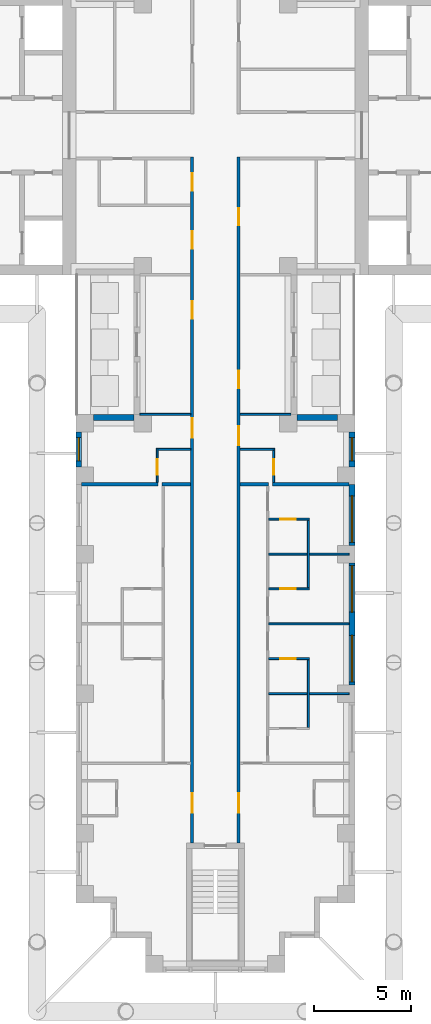
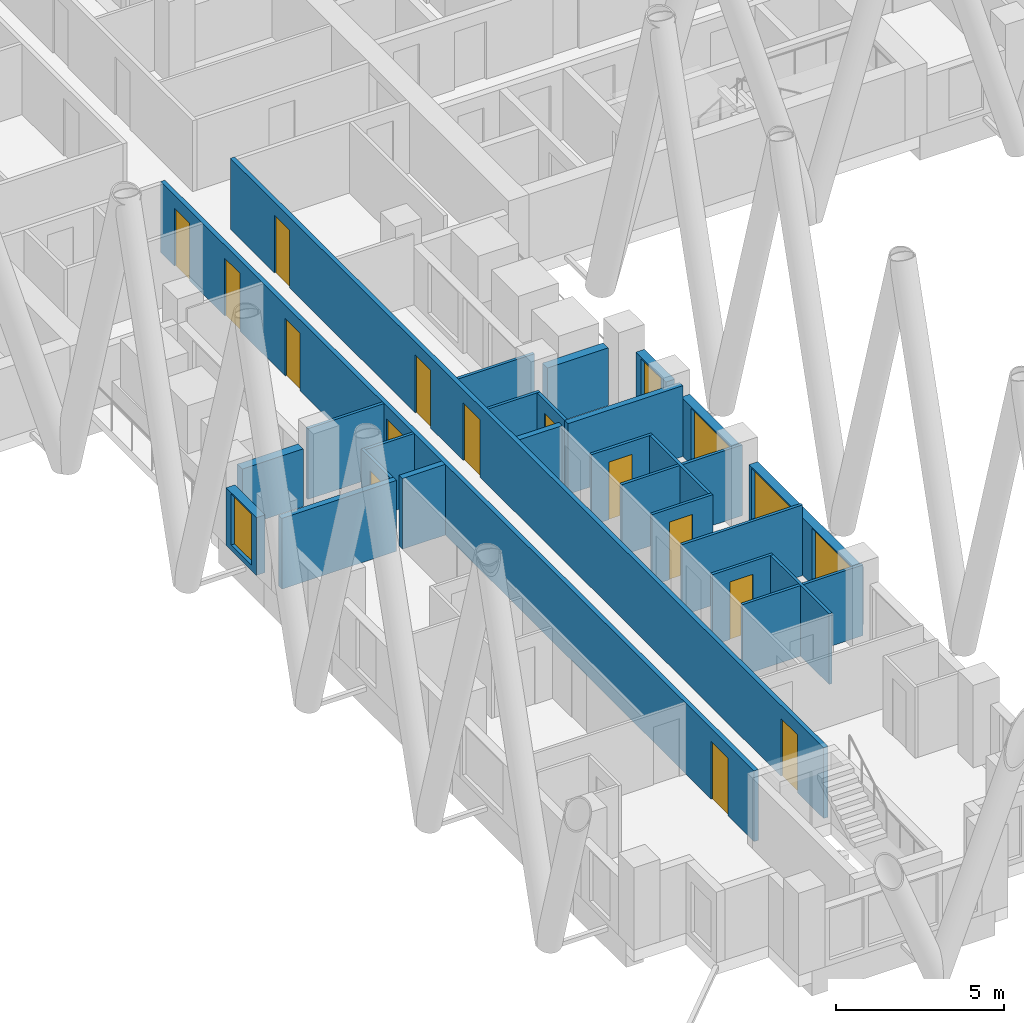
# One storey, part 5 of 17: 26 walls, 14 doors, 5 windows, 19 openings.
"""IFC4 building model written with IfcOpenShell, lengths in metres."""

from ifc_helpers import new_model, si_unit, direction, frame, frame_2d, origin, place, context, subcontext, project, spatial, rectangle, extrude, material, layer, layer_set, type_object, element, fill, save


model = new_model("IFC4")

# Units and contexts
model_context = context("Model", 3, precision=1e-05, world=origin(), true_north=direction((0.0, 1.0)))
body_context = subcontext(model_context, "Body", "Model", "MODEL_VIEW")
ifc_project = project(units=[si_unit("LENGTHUNIT", "METRE"), si_unit("AREAUNIT", "SQUARE_METRE"), si_unit("VOLUMEUNIT", "CUBIC_METRE"), si_unit("PLANEANGLEUNIT", "RADIAN"), si_unit("MASSUNIT", "GRAM", prefix="KILO")], contexts=[model_context])

# Site, building, storey
site_placement = place(None, origin())
site = spatial("IfcSite", under=ifc_project, at=site_placement, CompositionType="ELEMENT")
building_placement = place(site_placement, origin())
building = spatial("IfcBuilding", under=site, at=building_placement, Name="Fustian Cross Tower", CompositionType="ELEMENT")
storey_placement = place(building_placement, frame((0.0, 0.0, 32.699951171875)))
storey = spatial("IfcBuildingStorey", under=building, at=storey_placement, Name="L09", CompositionType="ELEMENT", Elevation=32.699951171875)

# Wall, openings, doors
ifc_material_1 = material(Name="Plasterboard on steel stud", Category="steel")
ifc_layer_1 = layer(ifc_material_1, 0.14990234375)
ifc_layer_set_1 = layer_set([ifc_layer_1], Name="Plasterboard on steel stud")
wall_type_1 = type_object("IfcWallType", Name="COMPARTMENT WALL 150 EI 60", PredefinedType="PARTITIONING", material=ifc_layer_set_1)
wall_1_placement = place(storey_placement, frame((-1.199951171875, -36.5, 0.0), z_axis=(0.0, 0.0, 1.0), x_axis=(0.0, 1.0, 0.0)))
wall_1 = element("IfcWall", 1, at=wall_1_placement, inside=storey, type_object=wall_type_1, Name="Partition 45", PredefinedType="PARTITIONING", context=body_context, shape_type="SweptSolid", body=[
    extrude(rectangle(XDim=35.375, YDim=0.14990234375, at=frame_2d((17.6875, 0.0))), origin(), (0.0, 0.0, 1.0), 2.574951171875),
])
opening_1_placement = place(wall_1_placement, frame((33.64990234375, 0.0, 0.0)))
opening_1 = element("IfcOpeningElement", 2, at=opening_1_placement, cuts=wall_1, Name="Opening D06007", PredefinedType="OPENING", context=body_context, shape_type="SweptSolid", body=[
    extrude(rectangle(XDim=0.89990234375, YDim=2.10009765625, at=frame_2d((0.449951171875, 1.050048828125))), frame((0.0, 0.0849609375, 0.0), z_axis=(0.0, -1.0, 0.0), x_axis=(1.0, 0.0, 0.0)), (0.0, 0.0, 1.0), 0.169921875),
])
opening_2_placement = place(wall_1_placement, frame((30.64990234375, 0.0, 0.0)))
opening_2 = element("IfcOpeningElement", 3, at=opening_2_placement, cuts=wall_1, Name="Opening D06009", PredefinedType="OPENING", context=body_context, shape_type="SweptSolid", body=[
    extrude(rectangle(XDim=0.89990234375, YDim=2.10009765625, at=frame_2d((0.449951171875, 1.050048828125))), frame((0.0, 0.0849609375, 0.0), z_axis=(0.0, -1.0, 0.0), x_axis=(1.0, 0.0, 0.0)), (0.0, 0.0, 1.0), 0.169921875),
])
opening_3_placement = place(wall_1_placement, frame((27.050048828125, 0.0, 0.0)))
opening_3 = element("IfcOpeningElement", 4, at=opening_3_placement, cuts=wall_1, Name="Opening D06062", PredefinedType="OPENING", context=body_context, shape_type="SweptSolid", body=[
    extrude(rectangle(XDim=0.89990234375, YDim=2.10009765625, at=frame_2d((0.449951171875, 1.050048828125))), frame((0.0, 0.0849609375, 0.0), z_axis=(0.0, -1.0, 0.0), x_axis=(1.0, 0.0, 0.0)), (0.0, 0.0, 1.0), 0.169921875),
])
opening_4_placement = place(wall_1_placement, frame((20.89990234375, 0.0, 0.0)))
opening_4 = element("IfcOpeningElement", 5, at=opening_4_placement, cuts=wall_1, Name="Opening D06064", PredefinedType="OPENING", context=body_context, shape_type="SweptSolid", body=[
    extrude(rectangle(XDim=1.0, YDim=2.10009765625, at=frame_2d((0.5, 1.050048828125))), frame((0.0, 0.0849609375, 0.0), z_axis=(0.0, -1.0, 0.0), x_axis=(1.0, 0.0, 0.0)), (0.0, 0.0, 1.0), 0.169921875),
])
opening_5_placement = place(wall_1_placement, frame((1.550048828125, 0.0, 0.0)))
opening_5 = element("IfcOpeningElement", 6, at=opening_5_placement, cuts=wall_1, Name="Opening D06066", PredefinedType="OPENING", context=body_context, shape_type="SweptSolid", body=[
    extrude(rectangle(XDim=1.0, YDim=2.10009765625, at=frame_2d((0.5, 1.050048828125))), frame((0.0, 0.0849609375, 0.0), z_axis=(0.0, -1.0, 0.0), x_axis=(1.0, 0.0, 0.0)), (0.0, 0.0, 1.0), 0.169921875),
])
ifc_material_2 = material(Name="Timber fire door set", Category="wood")
door_type_1 = type_object("IfcDoorType", Name="FIRE SWING DOOR 1000 FD30S", OperationType="SINGLE_SWING_LEFT", PredefinedType="DOOR", material=ifc_material_2)
door_1_placement = place(opening_4_placement, origin())
door_1 = element("IfcDoor", 7, at=door_1_placement, inside=storey, type_object=door_type_1, Name="Door D06064", OperationType="SINGLE_SWING_RIGHT", OverallHeight=2.10009765625, OverallWidth=1.0, PredefinedType="DOOR", context=body_context, shape_type="SweptSolid", body=[
    extrude(rectangle(XDim=1.0, YDim=2.10009765625, at=frame_2d((0.5, 1.050048828125))), frame((0.0, 0.02490234375, 0.0), z_axis=(0.0, -1.0, 0.0), x_axis=(1.0, 0.0, 0.0)), (0.0, 0.0, 1.0), 0.050048828125),
])
fill(opening_4, door_1)
door_2_placement = place(opening_5_placement, origin())
door_2 = element("IfcDoor", 8, at=door_2_placement, inside=storey, type_object=door_type_1, Name="Door D06066", OperationType="SINGLE_SWING_RIGHT", OverallHeight=2.10009765625, OverallWidth=1.0, PredefinedType="DOOR", context=body_context, shape_type="SweptSolid", body=[
    extrude(rectangle(XDim=1.0, YDim=2.10009765625, at=frame_2d((0.5, 1.050048828125))), frame((0.0, 0.02490234375, 0.0), z_axis=(0.0, -1.0, 0.0), x_axis=(1.0, 0.0, 0.0)), (0.0, 0.0, 1.0), 0.050048828125),
])
fill(opening_5, door_2)
ifc_material_3 = material(Name="Timber fire door set", Category="wood")
door_type_2 = type_object("IfcDoorType", Name="FIRE SWING DOOR 900 FD30S", OperationType="SINGLE_SWING_LEFT", PredefinedType="DOOR", material=ifc_material_3)
door_3_placement = place(opening_1_placement, origin())
door_3 = element("IfcDoor", 9, at=door_3_placement, inside=storey, type_object=door_type_2, Name="Door D06007", OperationType="SINGLE_SWING_LEFT", OverallHeight=2.10009765625, OverallWidth=0.89990234375, PredefinedType="DOOR", context=body_context, shape_type="SweptSolid", body=[
    extrude(rectangle(XDim=0.89990234375, YDim=2.10009765625, at=frame_2d((0.449951171875, 1.050048828125))), frame((0.0, 0.02490234375, 0.0), z_axis=(0.0, -1.0, 0.0), x_axis=(1.0, 0.0, 0.0)), (0.0, 0.0, 1.0), 0.050048828125),
])
fill(opening_1, door_3)
door_4_placement = place(opening_2_placement, origin())
door_4 = element("IfcDoor", 10, at=door_4_placement, inside=storey, type_object=door_type_2, Name="Door D06009", OperationType="SINGLE_SWING_LEFT", OverallHeight=2.10009765625, OverallWidth=0.89990234375, PredefinedType="DOOR", context=body_context, shape_type="SweptSolid", body=[
    extrude(rectangle(XDim=0.89990234375, YDim=2.10009765625, at=frame_2d((0.449951171875, 1.050048828125))), frame((0.0, 0.02490234375, 0.0), z_axis=(0.0, -1.0, 0.0), x_axis=(1.0, 0.0, 0.0)), (0.0, 0.0, 1.0), 0.050048828125),
])
fill(opening_2, door_4)
door_5_placement = place(opening_3_placement, origin())
door_5 = element("IfcDoor", 11, at=door_5_placement, inside=storey, type_object=door_type_2, Name="Door D06062", OperationType="SINGLE_SWING_RIGHT", OverallHeight=2.10009765625, OverallWidth=0.89990234375, PredefinedType="DOOR", context=body_context, shape_type="SweptSolid", body=[
    extrude(rectangle(XDim=0.89990234375, YDim=2.10009765625, at=frame_2d((0.449951171875, 1.050048828125))), frame((0.0, 0.02490234375, 0.0), z_axis=(0.0, -1.0, 0.0), x_axis=(1.0, 0.0, 0.0)), (0.0, 0.0, 1.0), 0.050048828125),
])
fill(opening_3, door_5)

wall_2_placement = place(storey_placement, frame((1.199951171875, -36.5, 0.0), z_axis=(0.0, 0.0, 1.0), x_axis=(0.0, 1.0, 0.0)))
wall_2 = element("IfcWall", 12, at=wall_2_placement, inside=storey, type_object=wall_type_1, Name="Partition 47", PredefinedType="PARTITIONING", context=body_context, shape_type="SweptSolid", body=[
    extrude(rectangle(XDim=35.375, YDim=0.14990234375, at=frame_2d((17.6875, 0.0))), origin(), (0.0, 0.0, 1.0), 2.574951171875),
])
opening_6_placement = place(wall_2_placement, frame((31.85009765625, 0.0, 0.0)))
opening_6 = element("IfcOpeningElement", 13, at=opening_6_placement, cuts=wall_2, Name="Opening D06005", PredefinedType="OPENING", context=body_context, shape_type="SweptSolid", body=[
    extrude(rectangle(XDim=0.89990234375, YDim=2.10009765625, at=frame_2d((0.449951171875, 1.050048828125))), frame((0.0, 0.0849609375, 0.0), z_axis=(0.0, -1.0, 0.0), x_axis=(1.0, 0.0, 0.0)), (0.0, 0.0, 1.0), 0.169921875),
])
opening_7_placement = place(wall_2_placement, frame((23.449951171875, 0.0, 0.0)))
opening_7 = element("IfcOpeningElement", 14, at=opening_7_placement, cuts=wall_2, Name="Opening D06048", PredefinedType="OPENING", context=body_context, shape_type="SweptSolid", body=[
    extrude(rectangle(XDim=0.89990234375, YDim=2.10009765625, at=frame_2d((0.449951171875, 1.050048828125))), frame((0.0, 0.0849609375, 0.0), z_axis=(0.0, -1.0, 0.0), x_axis=(1.0, 0.0, 0.0)), (0.0, 0.0, 1.0), 0.169921875),
])
opening_8_placement = place(wall_2_placement, frame((20.5, 0.0, 0.0)))
opening_8 = element("IfcOpeningElement", 15, at=opening_8_placement, cuts=wall_2, Name="Opening D06050", PredefinedType="OPENING", context=body_context, shape_type="SweptSolid", body=[
    extrude(rectangle(XDim=1.0, YDim=2.10009765625, at=frame_2d((0.5, 1.050048828125))), frame((0.0, 0.0849609375, 0.0), z_axis=(0.0, -1.0, 0.0), x_axis=(1.0, 0.0, 0.0)), (0.0, 0.0, 1.0), 0.169921875),
])
opening_9_placement = place(wall_2_placement, frame((1.550048828125, 0.0, 0.0)))
opening_9 = element("IfcOpeningElement", 16, at=opening_9_placement, cuts=wall_2, Name="Opening D06052", PredefinedType="OPENING", context=body_context, shape_type="SweptSolid", body=[
    extrude(rectangle(XDim=1.0, YDim=2.10009765625, at=frame_2d((0.5, 1.050048828125))), frame((0.0, 0.0849609375, 0.0), z_axis=(0.0, -1.0, 0.0), x_axis=(1.0, 0.0, 0.0)), (0.0, 0.0, 1.0), 0.169921875),
])
door_6_placement = place(opening_8_placement, frame((1.0, 0.0, 0.0), z_axis=(0.0, 0.0, 1.0), x_axis=(-1.0, 0.0, 0.0)))
door_6 = element("IfcDoor", 17, at=door_6_placement, inside=storey, type_object=door_type_1, Name="Door D06050", OperationType="SINGLE_SWING_RIGHT", OverallHeight=2.10009765625, OverallWidth=1.0, PredefinedType="DOOR", context=body_context, shape_type="SweptSolid", body=[
    extrude(rectangle(XDim=1.0, YDim=2.10009765625, at=frame_2d((0.5, 1.050048828125))), frame((0.0, 0.02490234375, 0.0), z_axis=(0.0, -1.0, 0.0), x_axis=(1.0, 0.0, 0.0)), (0.0, 0.0, 1.0), 0.050048828125),
])
fill(opening_8, door_6)
door_7_placement = place(opening_9_placement, frame((1.0, 0.0, 0.0), z_axis=(0.0, 0.0, 1.0), x_axis=(-1.0, 0.0, 0.0)))
door_7 = element("IfcDoor", 18, at=door_7_placement, inside=storey, type_object=door_type_1, Name="Door D06052", OperationType="SINGLE_SWING_LEFT", OverallHeight=2.10009765625, OverallWidth=1.0, PredefinedType="DOOR", context=body_context, shape_type="SweptSolid", body=[
    extrude(rectangle(XDim=1.0, YDim=2.10009765625, at=frame_2d((0.5, 1.050048828125))), frame((0.0, 0.02490234375, 0.0), z_axis=(0.0, -1.0, 0.0), x_axis=(1.0, 0.0, 0.0)), (0.0, 0.0, 1.0), 0.050048828125),
])
fill(opening_9, door_7)
door_8_placement = place(opening_6_placement, frame((0.89990234375, 0.0, 0.0), z_axis=(0.0, 0.0, 1.0), x_axis=(-1.0, 0.0, 0.0)))
door_8 = element("IfcDoor", 19, at=door_8_placement, inside=storey, type_object=door_type_2, Name="Door D06005", OperationType="SINGLE_SWING_RIGHT", OverallHeight=2.10009765625, OverallWidth=0.89990234375, PredefinedType="DOOR", context=body_context, shape_type="SweptSolid", body=[
    extrude(rectangle(XDim=0.89990234375, YDim=2.10009765625, at=frame_2d((0.449951171875, 1.050048828125))), frame((0.0, 0.02490234375, 0.0), z_axis=(0.0, -1.0, 0.0), x_axis=(1.0, 0.0, 0.0)), (0.0, 0.0, 1.0), 0.050048828125),
])
fill(opening_6, door_8)
door_9_placement = place(opening_7_placement, frame((0.89990234375, 0.0, 0.0), z_axis=(0.0, 0.0, 1.0), x_axis=(-1.0, 0.0, 0.0)))
door_9 = element("IfcDoor", 20, at=door_9_placement, inside=storey, type_object=door_type_2, Name="Door D06048", OperationType="SINGLE_SWING_RIGHT", OverallHeight=2.10009765625, OverallWidth=0.89990234375, PredefinedType="DOOR", context=body_context, shape_type="SweptSolid", body=[
    extrude(rectangle(XDim=0.89990234375, YDim=2.10009765625, at=frame_2d((0.449951171875, 1.050048828125))), frame((0.0, 0.02490234375, 0.0), z_axis=(0.0, -1.0, 0.0), x_axis=(1.0, 0.0, 0.0)), (0.0, 0.0, 1.0), 0.050048828125),
])
fill(opening_7, door_9)

# Wall
ifc_material_4 = material(Name="Plasterboard on steel stud", Category="steel")
ifc_layer_2 = layer(ifc_material_4, 0.10009765625)
ifc_layer_set_2 = layer_set([ifc_layer_2], Name="Plasterboard on steel stud")
wall_type_2 = type_object("IfcWallType", Name="PARTITION 100 STUD", PredefinedType="PARTITIONING", material=ifc_layer_set_2)
wall_3_placement = place(storey_placement, frame((-3.89990234375, -14.39990234375, 0.0), z_axis=(0.0, 0.0, 1.0), x_axis=(1.0, 0.0, 0.0)))
element("IfcWall", 21, at=wall_3_placement, inside=storey, type_object=wall_type_2, Name="Partition 35", PredefinedType="PARTITIONING", context=body_context, shape_type="SweptSolid", body=[
    extrude(rectangle(XDim=2.625, YDim=0.10009765625, at=frame_2d((1.3125, 0.0))), origin(), (0.0, 0.0, 1.0), 2.574951171875),
])

# Wall, opening, door
wall_4_placement = place(storey_placement, frame((-3.0, -17.89990234375, 0.0), z_axis=(0.0, 0.0, 1.0), x_axis=(0.0, 1.0, 0.0)))
wall_4 = element("IfcWall", 22, at=wall_4_placement, inside=storey, type_object=wall_type_2, Name="Partition 40", PredefinedType="PARTITIONING", context=body_context, shape_type="SweptSolid", body=[
    extrude(rectangle(XDim=1.75, YDim=0.10009765625, at=frame_2d((0.875, 0.0))), origin(), (0.0, 0.0, 1.0), 2.574951171875),
])
opening_10_placement = place(wall_4_placement, frame((0.39990234375, 0.0, 0.0)))
opening_10 = element("IfcOpeningElement", 23, at=opening_10_placement, cuts=wall_4, Name="Opening D06063", PredefinedType="OPENING", context=body_context, shape_type="SweptSolid", body=[
    extrude(rectangle(XDim=0.800048828125, YDim=2.10009765625, at=frame_2d((0.39990234375, 1.050048828125))), frame((0.0, 0.06005859375, 0.0), z_axis=(0.0, -1.0, 0.0), x_axis=(1.0, 0.0, 0.0)), (0.0, 0.0, 1.0), 0.1201171875),
])
ifc_material_5 = material(Name="Painted timber", Category="wood")
door_type_3 = type_object("IfcDoorType", Name="SWING DOOR 800", OperationType="SINGLE_SWING_LEFT", PredefinedType="DOOR", material=ifc_material_5)
door_10_placement = place(opening_10_placement, frame((0.800048828125, 0.0, 0.0), z_axis=(0.0, 0.0, 1.0), x_axis=(-1.0, 0.0, 0.0)))
door_10 = element("IfcDoor", 24, at=door_10_placement, inside=storey, type_object=door_type_3, Name="Door D06063", OperationType="SINGLE_SWING_LEFT", OverallHeight=2.10009765625, OverallWidth=0.800048828125, PredefinedType="DOOR", context=body_context, shape_type="SweptSolid", body=[
    extrude(rectangle(XDim=0.800048828125, YDim=2.10009765625, at=frame_2d((0.39990234375, 1.050048828125))), frame((0.0, 0.02490234375, 0.0), z_axis=(0.0, -1.0, 0.0), x_axis=(1.0, 0.0, 0.0)), (0.0, 0.0, 1.0), 0.050048828125),
])
fill(opening_10, door_10)

# Walls
wall_5_placement = place(storey_placement, frame((-2.949951171875, -16.199951171875, 0.0), z_axis=(0.0, 0.0, 1.0), x_axis=(1.0, 0.0, 0.0)))
element("IfcWall", 25, at=wall_5_placement, inside=storey, type_object=wall_type_2, Name="Partition 41", PredefinedType="PARTITIONING", context=body_context, shape_type="SweptSolid", body=[
    extrude(rectangle(XDim=1.675048828125, YDim=0.10009765625, at=frame_2d((0.83740234375, 0.0))), origin(), (0.0, 0.0, 1.0), 2.574951171875),
])
wall_6_placement = place(storey_placement, frame((1.27490234375, -16.199951171875, 0.0), z_axis=(0.0, 0.0, 1.0), x_axis=(1.0, 0.0, 0.0)))
element("IfcWall", 26, at=wall_6_placement, inside=storey, type_object=wall_type_2, Name="Partition 50", PredefinedType="PARTITIONING", context=body_context, shape_type="SweptSolid", body=[
    extrude(rectangle(XDim=1.775146484375, YDim=0.10009765625, at=frame_2d((0.8876953125, 0.0))), origin(), (0.0, 0.0, 1.0), 2.574951171875),
])
wall_7_placement = place(storey_placement, frame((1.27490234375, -14.39990234375, 0.0), z_axis=(0.0, 0.0, 1.0), x_axis=(1.0, 0.0, 0.0)))
element("IfcWall", 27, at=wall_7_placement, inside=storey, type_object=wall_type_2, Name="Partition 51", PredefinedType="PARTITIONING", context=body_context, shape_type="SweptSolid", body=[
    extrude(rectangle(XDim=2.625, YDim=0.10009765625, at=frame_2d((1.3125, 0.0))), origin(), (0.0, 0.0, 1.0), 2.574951171875),
])
wall_8_placement = place(storey_placement, frame((2.75, -28.800048828125, 0.0), z_axis=(0.0, 0.0, 1.0), x_axis=(1.0, 0.0, 0.0)))
element("IfcWall", 28, at=wall_8_placement, inside=storey, type_object=wall_type_2, Name="Partition 64", PredefinedType="PARTITIONING", context=body_context, shape_type="SweptSolid", body=[
    extrude(rectangle(XDim=4.14990234375, YDim=0.10009765625, at=frame_2d((2.074951171875, 0.0))), origin(), (0.0, 0.0, 1.0), 2.574951171875),
])

# Wall, opening, door
wall_9_placement = place(storey_placement, frame((2.75, -27.0, 0.0), z_axis=(0.0, 0.0, 1.0), x_axis=(1.0, 0.0, 0.0)))
wall_9 = element("IfcWall", 29, at=wall_9_placement, inside=storey, type_object=wall_type_2, Name="Partition 65", PredefinedType="PARTITIONING", context=body_context, shape_type="SweptSolid", body=[
    extrude(rectangle(XDim=2.10009765625, YDim=0.10009765625, at=frame_2d((1.050048828125, 0.0))), origin(), (0.0, 0.0, 1.0), 2.574951171875),
])
opening_11_placement = place(wall_9_placement, frame((0.60009765625, 0.0, 0.0)))
opening_11 = element("IfcOpeningElement", 30, at=opening_11_placement, cuts=wall_9, Name="Opening D06060", PredefinedType="OPENING", context=body_context, shape_type="SweptSolid", body=[
    extrude(rectangle(XDim=0.800048828125, YDim=2.10009765625, at=frame_2d((0.39990234375, 1.050048828125))), frame((0.0, 0.06005859375, 0.0), z_axis=(0.0, -1.0, 0.0), x_axis=(1.0, 0.0, 0.0)), (0.0, 0.0, 1.0), 0.1201171875),
])
door_11_placement = place(opening_11_placement, frame((0.800048828125, 0.0, 0.0), z_axis=(0.0, 0.0, 1.0), x_axis=(-1.0, 0.0, 0.0)))
door_11 = element("IfcDoor", 31, at=door_11_placement, inside=storey, type_object=door_type_3, Name="Door D06060", OperationType="SINGLE_SWING_RIGHT", OverallHeight=2.10009765625, OverallWidth=0.800048828125, PredefinedType="DOOR", context=body_context, shape_type="SweptSolid", body=[
    extrude(rectangle(XDim=0.800048828125, YDim=2.10009765625, at=frame_2d((0.39990234375, 1.050048828125))), frame((0.0, 0.02490234375, 0.0), z_axis=(0.0, -1.0, 0.0), x_axis=(1.0, 0.0, 0.0)), (0.0, 0.0, 1.0), 0.050048828125),
])
fill(opening_11, door_11)

# Wall
wall_10_placement = place(storey_placement, frame((2.75, -25.199951171875, 0.0), z_axis=(0.0, 0.0, 1.0), x_axis=(1.0, 0.0, 0.0)))
element("IfcWall", 32, at=wall_10_placement, inside=storey, type_object=wall_type_2, Name="Partition 66", PredefinedType="PARTITIONING", context=body_context, shape_type="SweptSolid", body=[
    extrude(rectangle(XDim=4.14990234375, YDim=0.10009765625, at=frame_2d((2.074951171875, 0.0))), origin(), (0.0, 0.0, 1.0), 2.574951171875),
])

# Wall, opening, door
wall_11_placement = place(storey_placement, frame((2.75, -23.39990234375, 0.0), z_axis=(0.0, 0.0, 1.0), x_axis=(1.0, 0.0, 0.0)))
wall_11 = element("IfcWall", 33, at=wall_11_placement, inside=storey, type_object=wall_type_2, Name="Partition 67", PredefinedType="PARTITIONING", context=body_context, shape_type="SweptSolid", body=[
    extrude(rectangle(XDim=2.10009765625, YDim=0.10009765625, at=frame_2d((1.050048828125, 0.0))), origin(), (0.0, 0.0, 1.0), 2.574951171875),
])
opening_12_placement = place(wall_11_placement, frame((0.60009765625, 0.0, 0.0)))
opening_12 = element("IfcOpeningElement", 34, at=opening_12_placement, cuts=wall_11, Name="Opening D06059", PredefinedType="OPENING", context=body_context, shape_type="SweptSolid", body=[
    extrude(rectangle(XDim=0.800048828125, YDim=2.10009765625, at=frame_2d((0.39990234375, 1.050048828125))), frame((0.0, 0.06005859375, 0.0), z_axis=(0.0, -1.0, 0.0), x_axis=(1.0, 0.0, 0.0)), (0.0, 0.0, 1.0), 0.1201171875),
])
door_12_placement = place(opening_12_placement, origin())
door_12 = element("IfcDoor", 35, at=door_12_placement, inside=storey, type_object=door_type_3, Name="Door D06059", OperationType="SINGLE_SWING_LEFT", OverallHeight=2.10009765625, OverallWidth=0.800048828125, PredefinedType="DOOR", context=body_context, shape_type="SweptSolid", body=[
    extrude(rectangle(XDim=0.800048828125, YDim=2.10009765625, at=frame_2d((0.39990234375, 1.050048828125))), frame((0.0, 0.02490234375, 0.0), z_axis=(0.0, -1.0, 0.0), x_axis=(1.0, 0.0, 0.0)), (0.0, 0.0, 1.0), 0.050048828125),
])
fill(opening_12, door_12)

# Wall
wall_12_placement = place(storey_placement, frame((2.75, -21.60009765625, 0.0), z_axis=(0.0, 0.0, 1.0), x_axis=(1.0, 0.0, 0.0)))
element("IfcWall", 36, at=wall_12_placement, inside=storey, type_object=wall_type_2, Name="Partition 68", PredefinedType="PARTITIONING", context=body_context, shape_type="SweptSolid", body=[
    extrude(rectangle(XDim=4.14990234375, YDim=0.10009765625, at=frame_2d((2.074951171875, 0.0))), origin(), (0.0, 0.0, 1.0), 2.574951171875),
])

# Wall, opening, door
wall_13_placement = place(storey_placement, frame((2.75, -19.800048828125, 0.0), z_axis=(0.0, 0.0, 1.0), x_axis=(1.0, 0.0, 0.0)))
wall_13 = element("IfcWall", 37, at=wall_13_placement, inside=storey, type_object=wall_type_2, Name="Partition 69", PredefinedType="PARTITIONING", context=body_context, shape_type="SweptSolid", body=[
    extrude(rectangle(XDim=2.10009765625, YDim=0.10009765625, at=frame_2d((1.050048828125, 0.0))), origin(), (0.0, 0.0, 1.0), 2.574951171875),
])
opening_13_placement = place(wall_13_placement, frame((0.60009765625, 0.0, 0.0)))
opening_13 = element("IfcOpeningElement", 38, at=opening_13_placement, cuts=wall_13, Name="Opening D06058", PredefinedType="OPENING", context=body_context, shape_type="SweptSolid", body=[
    extrude(rectangle(XDim=0.800048828125, YDim=2.10009765625, at=frame_2d((0.39990234375, 1.050048828125))), frame((0.0, 0.06005859375, 0.0), z_axis=(0.0, -1.0, 0.0), x_axis=(1.0, 0.0, 0.0)), (0.0, 0.0, 1.0), 0.1201171875),
])
door_13_placement = place(opening_13_placement, frame((0.800048828125, 0.0, 0.0), z_axis=(0.0, 0.0, 1.0), x_axis=(-1.0, 0.0, 0.0)))
door_13 = element("IfcDoor", 39, at=door_13_placement, inside=storey, type_object=door_type_3, Name="Door D06058", OperationType="SINGLE_SWING_RIGHT", OverallHeight=2.10009765625, OverallWidth=0.800048828125, PredefinedType="DOOR", context=body_context, shape_type="SweptSolid", body=[
    extrude(rectangle(XDim=0.800048828125, YDim=2.10009765625, at=frame_2d((0.39990234375, 1.050048828125))), frame((0.0, 0.02490234375, 0.0), z_axis=(0.0, -1.0, 0.0), x_axis=(1.0, 0.0, 0.0)), (0.0, 0.0, 1.0), 0.050048828125),
])
fill(opening_13, door_13)

wall_14_placement = place(storey_placement, frame((3.0, -17.89990234375, 0.0), z_axis=(0.0, 0.0, 1.0), x_axis=(0.0, 1.0, 0.0)))
wall_14 = element("IfcWall", 40, at=wall_14_placement, inside=storey, type_object=wall_type_2, Name="Partition 74", PredefinedType="PARTITIONING", context=body_context, shape_type="SweptSolid", body=[
    extrude(rectangle(XDim=1.64990234375, YDim=0.10009765625, at=frame_2d((0.824951171875, 0.0))), origin(), (0.0, 0.0, 1.0), 2.574951171875),
])
opening_14_placement = place(wall_14_placement, frame((0.39990234375, 0.0, 0.0)))
opening_14 = element("IfcOpeningElement", 41, at=opening_14_placement, cuts=wall_14, Name="Opening D06049", PredefinedType="OPENING", context=body_context, shape_type="SweptSolid", body=[
    extrude(rectangle(XDim=0.800048828125, YDim=2.10009765625, at=frame_2d((0.39990234375, 1.050048828125))), frame((0.0, 0.06005859375, 0.0), z_axis=(0.0, -1.0, 0.0), x_axis=(1.0, 0.0, 0.0)), (0.0, 0.0, 1.0), 0.1201171875),
])
door_14_placement = place(opening_14_placement, origin())
door_14 = element("IfcDoor", 42, at=door_14_placement, inside=storey, type_object=door_type_3, Name="Door D06049", OperationType="SINGLE_SWING_RIGHT", OverallHeight=2.10009765625, OverallWidth=0.800048828125, PredefinedType="DOOR", context=body_context, shape_type="SweptSolid", body=[
    extrude(rectangle(XDim=0.800048828125, YDim=2.10009765625, at=frame_2d((0.39990234375, 1.050048828125))), frame((0.0, 0.02490234375, 0.0), z_axis=(0.0, -1.0, 0.0), x_axis=(1.0, 0.0, 0.0)), (0.0, 0.0, 1.0), 0.050048828125),
])
fill(opening_14, door_14)

# Walls
for number, where, z_axis, x_axis, name in (
    (43, (4.800048828125, -30.550048828125, 0.0), (0.0, 0.0, 1.0), (0.0, 1.0, 0.0), "Partition 78"),
    (44, (4.800048828125, -23.35009765625, 0.0), (0.0, 0.0, 1.0), (0.0, 1.0, 0.0), "Partition 79"),
):
    element("IfcWall", number, at=place(storey_placement, frame(where, z_axis=z_axis, x_axis=x_axis)), inside=storey, type_object=wall_type_2, Name=name, PredefinedType="PARTITIONING", context=body_context, shape_type="SweptSolid", body=[
        extrude(rectangle(XDim=3.5, YDim=0.10009765625, at=frame_2d((1.75, 0.0))), origin(), (0.0, 0.0, 1.0), 2.574951171875),
    ])
ifc_material_6 = material(Name="Plasterboard on steel stud", Category="steel")
ifc_layer_3 = layer(ifc_material_6, 0.199951171875)
ifc_layer_set_3 = layer_set([ifc_layer_3], Name="Plasterboard on steel stud")
wall_type_3 = type_object("IfcWallType", Name="PARTY WALL 200 EI 60", PredefinedType="PARTITIONING", material=ifc_layer_set_3)
wall_15_placement = place(storey_placement, frame((-6.89990234375, -18.0, 0.0), z_axis=(0.0, 0.0, 1.0), x_axis=(1.0, 0.0, 0.0)))
element("IfcWall", 45, at=wall_15_placement, inside=storey, type_object=wall_type_3, Name="Partition 13", PredefinedType="PARTITIONING", context=body_context, shape_type="SweptSolid", body=[
    extrude(rectangle(XDim=3.949951171875, YDim=0.199951171875, at=frame_2d((1.97509765625, 0.0))), origin(), (0.0, 0.0, 1.0), 2.574951171875),
])
for number, where, z_axis, x_axis, name in (
    (46, (-2.75, -18.0, 0.0), (0.0, 0.0, 1.0), (1.0, 0.0, 0.0), "Partition 43"),
    (47, (1.27490234375, -18.0, 0.0), (0.0, 0.0, 1.0), (1.0, 0.0, 0.0), "Partition 49"),
):
    element("IfcWall", number, at=place(storey_placement, frame(where, z_axis=z_axis, x_axis=x_axis)), inside=storey, type_object=wall_type_3, Name=name, PredefinedType="PARTITIONING", context=body_context, shape_type="SweptSolid", body=[
        extrude(rectangle(XDim=1.47509765625, YDim=0.199951171875, at=frame_2d((0.737548828125, 0.0))), origin(), (0.0, 0.0, 1.0), 2.574951171875),
    ])
wall_16_placement = place(storey_placement, frame((2.949951171875, -18.0, 0.0), z_axis=(0.0, 0.0, 1.0), x_axis=(1.0, 0.0, 0.0)))
element("IfcWall", 48, at=wall_16_placement, inside=storey, type_object=wall_type_3, Name="Partition 75", PredefinedType="PARTITIONING", context=body_context, shape_type="SweptSolid", body=[
    extrude(rectangle(XDim=3.949951171875, YDim=0.199951171875, at=frame_2d((1.97509765625, 0.0))), origin(), (0.0, 0.0, 1.0), 2.574951171875),
])
ifc_material_7 = material(Name="Dark aluminium cladding on insulated backing wall", Category="aluminium")
ifc_layer_4 = layer(ifc_material_7, 0.300048828125)
ifc_layer_set_4 = layer_set([ifc_layer_4], Name="Dark aluminium cladding on insulated backing wall")
wall_type_4 = type_object("IfcWallType", Name="XW1 EXTERNAL WALL 300", PredefinedType="SOLIDWALL", material=ifc_layer_set_4)
wall_17_placement = place(storey_placement, frame((-4.199951171875, -14.550048828125, 0.0), z_axis=(0.0, 0.0, 1.0), x_axis=(-1.0, 0.0, 0.0)))
element("IfcWall", 49, at=wall_17_placement, inside=storey, type_object=wall_type_4, Name="External wall", PredefinedType="SOLIDWALL", context=body_context, shape_type="SweptSolid", body=[
    extrude(rectangle(XDim=2.10009765625, YDim=0.300048828125, at=frame_2d((1.050048828125, 0.0))), origin(), (0.0, 0.0, 1.0), 2.10009765625),
])

# Wall, opening, window
wall_18_placement = place(storey_placement, frame((-7.050048828125, -15.300048828125, 0.0), z_axis=(0.0, 0.0, 1.0), x_axis=(0.0, -1.0, 0.0)))
wall_18 = element("IfcWall", 50, at=wall_18_placement, inside=storey, type_object=wall_type_4, Name="External wall", PredefinedType="SOLIDWALL", context=body_context, shape_type="SweptSolid", body=[
    extrude(rectangle(XDim=1.800048828125, YDim=0.300048828125, at=frame_2d((0.89990234375, 0.0))), origin(), (0.0, 0.0, 1.0), 2.10009765625),
])
opening_15_placement = place(wall_18_placement, frame((0.300048828125, 0.0, 0.199951171875)))
opening_15 = element("IfcOpeningElement", 51, at=opening_15_placement, cuts=wall_18, Name="Opening WN3", PredefinedType="OPENING", context=body_context, shape_type="SweptSolid", body=[
    extrude(rectangle(XDim=1.199951171875, YDim=1.85009765625, at=frame_2d((0.60009765625, 0.925048828125))), frame((0.0, 0.159912109375, 0.0), z_axis=(0.0, -1.0, 0.0), x_axis=(1.0, 0.0, 0.0)), (0.0, 0.0, 1.0), 0.320068359375),
])
ifc_material_8 = material(Name="Dark anodised aluminium and double glazing", Category="aluminium")
window_type_1 = type_object("IfcWindowType", Name="WN3 WINDOW 1200X1850", PartitioningType="SINGLE_PANEL", PredefinedType="WINDOW", material=ifc_material_8)
window_1_placement = place(opening_15_placement, origin())
window_1 = element("IfcWindow", 52, at=window_1_placement, inside=storey, type_object=window_type_1, Name="Window", OverallHeight=1.85009765625, OverallWidth=1.199951171875, PartitioningType="SINGLE_PANEL", PredefinedType="WINDOW", context=body_context, shape_type="SweptSolid", body=[
    extrude(rectangle(XDim=1.199951171875, YDim=1.85009765625, at=frame_2d((0.60009765625, 0.925048828125))), frame((0.0, 0.030029296875, 0.0), z_axis=(0.0, -1.0, 0.0), x_axis=(1.0, 0.0, 0.0)), (0.0, 0.0, 1.0), 0.06005859375),
])
fill(opening_15, window_1)

# Wall, openings, windows
wall_19_placement = place(storey_placement, frame((7.050048828125, -28.35009765625, 0.0), z_axis=(0.0, 0.0, 1.0), x_axis=(0.0, 1.0, 0.0)))
wall_19 = element("IfcWall", 53, at=wall_19_placement, inside=storey, type_object=wall_type_4, Name="External wall", PredefinedType="SOLIDWALL", context=body_context, shape_type="SweptSolid", body=[
    extrude(rectangle(XDim=6.300048828125, YDim=0.300048828125, at=frame_2d((3.14990234375, 0.0))), origin(), (0.0, 0.0, 1.0), 2.10009765625),
])
opening_16_placement = place(wall_19_placement, frame((0.14990234375, 0.0, 0.199951171875)))
opening_16 = element("IfcOpeningElement", 54, at=opening_16_placement, cuts=wall_19, Name="Opening WN1", PredefinedType="OPENING", context=body_context, shape_type="SweptSolid", body=[
    extrude(rectangle(XDim=2.39990234375, YDim=1.85009765625, at=frame_2d((1.199951171875, 0.925048828125))), frame((0.0, 0.159912109375, 0.0), z_axis=(0.0, -1.0, 0.0), x_axis=(1.0, 0.0, 0.0)), (0.0, 0.0, 1.0), 0.320068359375),
])
opening_17_placement = place(wall_19_placement, frame((3.75, 0.0, 0.199951171875)))
opening_17 = element("IfcOpeningElement", 55, at=opening_17_placement, cuts=wall_19, Name="Opening WN1", PredefinedType="OPENING", context=body_context, shape_type="SweptSolid", body=[
    extrude(rectangle(XDim=2.39990234375, YDim=1.85009765625, at=frame_2d((1.199951171875, 0.925048828125))), frame((0.0, 0.159912109375, 0.0), z_axis=(0.0, -1.0, 0.0), x_axis=(1.0, 0.0, 0.0)), (0.0, 0.0, 1.0), 0.320068359375),
])
ifc_material_9 = material(Name="Dark anodised aluminium and double glazing", Category="aluminium")
window_type_2 = type_object("IfcWindowType", Name="WN1 WINDOW 2400X1850", PartitioningType="SINGLE_PANEL", PredefinedType="WINDOW", material=ifc_material_9)
window_2_placement = place(opening_16_placement, origin())
window_2 = element("IfcWindow", 56, at=window_2_placement, inside=storey, type_object=window_type_2, Name="Window", OverallHeight=1.85009765625, OverallWidth=2.39990234375, PartitioningType="SINGLE_PANEL", PredefinedType="WINDOW", context=body_context, shape_type="SweptSolid", body=[
    extrude(rectangle(XDim=2.39990234375, YDim=1.85009765625, at=frame_2d((1.199951171875, 0.925048828125))), frame((0.0, 0.030029296875, 0.0), z_axis=(0.0, -1.0, 0.0), x_axis=(1.0, 0.0, 0.0)), (0.0, 0.0, 1.0), 0.06005859375),
])
fill(opening_16, window_2)
window_3_placement = place(opening_17_placement, origin())
window_3 = element("IfcWindow", 57, at=window_3_placement, inside=storey, type_object=window_type_2, Name="Window", OverallHeight=1.85009765625, OverallWidth=2.39990234375, PartitioningType="SINGLE_PANEL", PredefinedType="WINDOW", context=body_context, shape_type="SweptSolid", body=[
    extrude(rectangle(XDim=2.39990234375, YDim=1.85009765625, at=frame_2d((1.199951171875, 0.925048828125))), frame((0.0, 0.030029296875, 0.0), z_axis=(0.0, -1.0, 0.0), x_axis=(1.0, 0.0, 0.0)), (0.0, 0.0, 1.0), 0.06005859375),
])
fill(opening_17, window_3)

# Wall, opening, window
wall_20_placement = place(storey_placement, frame((7.050048828125, -21.14990234375, 0.0), z_axis=(0.0, 0.0, 1.0), x_axis=(0.0, 1.0, 0.0)))
wall_20 = element("IfcWall", 58, at=wall_20_placement, inside=storey, type_object=wall_type_4, Name="External wall", PredefinedType="SOLIDWALL", context=body_context, shape_type="SweptSolid", body=[
    extrude(rectangle(XDim=3.14990234375, YDim=0.300048828125, at=frame_2d((1.574951171875, 0.0))), origin(), (0.0, 0.0, 1.0), 2.10009765625),
])
opening_18_placement = place(wall_20_placement, frame((0.14990234375, 0.0, 0.199951171875)))
opening_18 = element("IfcOpeningElement", 59, at=opening_18_placement, cuts=wall_20, Name="Opening WN1", PredefinedType="OPENING", context=body_context, shape_type="SweptSolid", body=[
    extrude(rectangle(XDim=2.39990234375, YDim=1.85009765625, at=frame_2d((1.199951171875, 0.925048828125))), frame((0.0, 0.159912109375, 0.0), z_axis=(0.0, -1.0, 0.0), x_axis=(1.0, 0.0, 0.0)), (0.0, 0.0, 1.0), 0.320068359375),
])
window_4_placement = place(opening_18_placement, origin())
window_4 = element("IfcWindow", 60, at=window_4_placement, inside=storey, type_object=window_type_2, Name="Window", OverallHeight=1.85009765625, OverallWidth=2.39990234375, PartitioningType="SINGLE_PANEL", PredefinedType="WINDOW", context=body_context, shape_type="SweptSolid", body=[
    extrude(rectangle(XDim=2.39990234375, YDim=1.85009765625, at=frame_2d((1.199951171875, 0.925048828125))), frame((0.0, 0.030029296875, 0.0), z_axis=(0.0, -1.0, 0.0), x_axis=(1.0, 0.0, 0.0)), (0.0, 0.0, 1.0), 0.06005859375),
])
fill(opening_18, window_4)

wall_21_placement = place(storey_placement, frame((7.050048828125, -17.10009765625, 0.0), z_axis=(0.0, 0.0, 1.0), x_axis=(0.0, 1.0, 0.0)))
wall_21 = element("IfcWall", 61, at=wall_21_placement, inside=storey, type_object=wall_type_4, Name="External wall", PredefinedType="SOLIDWALL", context=body_context, shape_type="SweptSolid", body=[
    extrude(rectangle(XDim=1.800048828125, YDim=0.300048828125, at=frame_2d((0.89990234375, 0.0))), origin(), (0.0, 0.0, 1.0), 2.10009765625),
])
opening_19_placement = place(wall_21_placement, frame((0.300048828125, 0.0, 0.199951171875)))
opening_19 = element("IfcOpeningElement", 62, at=opening_19_placement, cuts=wall_21, Name="Opening WN3", PredefinedType="OPENING", context=body_context, shape_type="SweptSolid", body=[
    extrude(rectangle(XDim=1.199951171875, YDim=1.85009765625, at=frame_2d((0.60009765625, 0.925048828125))), frame((0.0, 0.159912109375, 0.0), z_axis=(0.0, -1.0, 0.0), x_axis=(1.0, 0.0, 0.0)), (0.0, 0.0, 1.0), 0.320068359375),
])
window_5_placement = place(opening_19_placement, origin())
window_5 = element("IfcWindow", 63, at=window_5_placement, inside=storey, type_object=window_type_1, Name="Window", OverallHeight=1.85009765625, OverallWidth=1.199951171875, PartitioningType="SINGLE_PANEL", PredefinedType="WINDOW", context=body_context, shape_type="SweptSolid", body=[
    extrude(rectangle(XDim=1.199951171875, YDim=1.85009765625, at=frame_2d((0.60009765625, 0.925048828125))), frame((0.0, 0.030029296875, 0.0), z_axis=(0.0, -1.0, 0.0), x_axis=(1.0, 0.0, 0.0)), (0.0, 0.0, 1.0), 0.06005859375),
])
fill(opening_19, window_5)

# Wall
wall_22_placement = place(storey_placement, frame((6.300048828125, -14.550048828125, 0.0), z_axis=(0.0, 0.0, 1.0), x_axis=(-1.0, 0.0, 0.0)))
element("IfcWall", 64, at=wall_22_placement, inside=storey, type_object=wall_type_4, Name="External wall", PredefinedType="SOLIDWALL", context=body_context, shape_type="SweptSolid", body=[
    extrude(rectangle(XDim=2.10009765625, YDim=0.300048828125, at=frame_2d((1.050048828125, 0.0))), origin(), (0.0, 0.0, 1.0), 2.10009765625),
])

save(model, "model.ifc")
